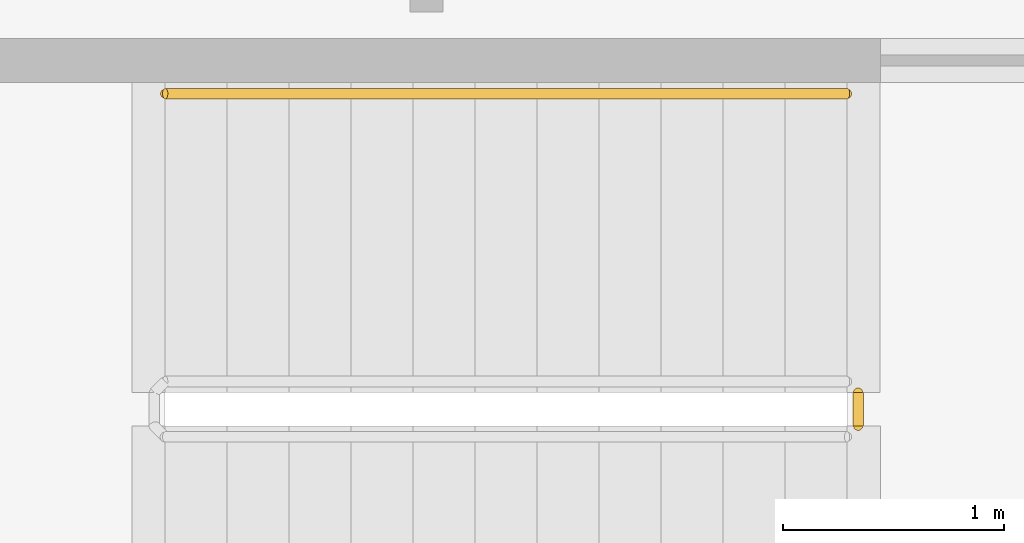
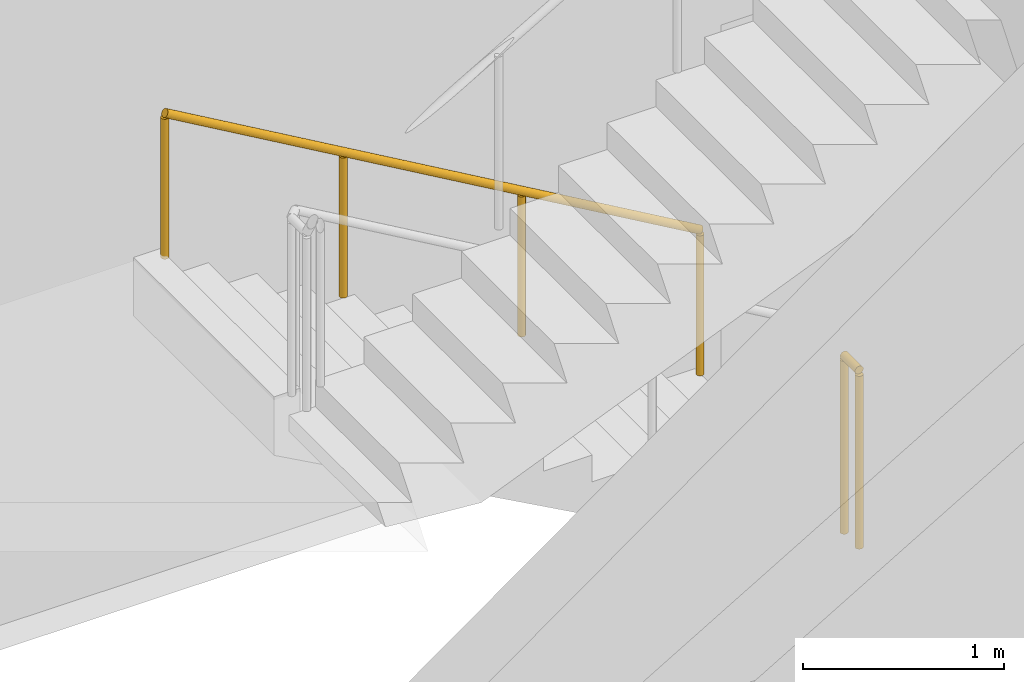
# One storey, part 20 of 23: 2 railings.
"""IFC4 building model written with IfcOpenShell, lengths in metres."""

import ifcopenshell
import ifcopenshell.guid

model = None  # the IFC model being written
_history = None  # IfcOwnerHistory: only IFC2X3 demands one
_inside = {}  # id of a spatial element -> (the spatial element, [elements in it])
_under = {}  # id of a project, library or spatial element -> (it, [spatial elements below it])
_declared = {}  # id of a project -> (the project, [libraries it declares])
_typed = {}  # id of a type object -> (the type object, [elements of that type])
_made_of = {}  # id of a material, layer set ... -> (it, [elements and type objects made of it])


def new_model(schema):
    """Start an empty IFC model of exactly this schema.

    Asked for "IFC4X3", IfcOpenShell would pick the latest addendum, in which some entities
    have other attributes; the version numbers below select the first issue.
    IFC2X3 requires an IfcOwnerHistory on every rooted entity: one is made here for all.
    """
    global model, _history
    if schema == "IFC4X3":
        model = ifcopenshell.file(schema_version=(4, 3, 0, 0))
    else:
        model = ifcopenshell.file(schema=schema)
    _inside.clear()
    _under.clear()
    _declared.clear()
    _typed.clear()
    _made_of.clear()
    _history = None
    if model.schema == "IFC2X3":
        org = make("IfcOrganization", Name="unknown")
        user = make(
            "IfcPersonAndOrganization",
            ThePerson=make("IfcPerson", FamilyName="unknown"),
            TheOrganization=org,
        )
        app = make(
            "IfcApplication",
            ApplicationDeveloper=org,
            Version="unknown",
            ApplicationFullName="unknown",
            ApplicationIdentifier="unknown",
        )
        _history = make(
            "IfcOwnerHistory",
            OwningUser=user,
            OwningApplication=app,
            ChangeAction="ADDED",
            CreationDate=0,
        )
    return model


def make(cls, **values):
    """One entity of the class cls with the attributes given. An attribute that is None is left unset."""
    return model.create_entity(
        cls, **{name: value for name, value in values.items() if value is not None}
    )


def rooted(cls, **values):
    """An entity with a GlobalId (a new one), such as an element, a storey or a relation."""
    return make(cls, GlobalId=ifcopenshell.guid.new(), OwnerHistory=_history, **values)


def si_unit(unit_type, name, prefix=None):
    """IfcSIUnit, for example si_unit("LENGTHUNIT", "METRE", prefix="MILLI")."""
    return make("IfcSIUnit", UnitType=unit_type, Prefix=prefix, Name=name)


def assignment(units):
    """IfcUnitAssignment: the units of a project."""
    return None if units is None else make("IfcUnitAssignment", Units=units)


def point(xyz):
    """IfcCartesianPoint."""
    return None if xyz is None else make("IfcCartesianPoint", Coordinates=xyz)


def direction(xyz):
    """IfcDirection."""
    return None if xyz is None else make("IfcDirection", DirectionRatios=xyz)


def frame(location, z_axis=None, x_axis=None):
    """IfcAxis2Placement3D, a coordinate frame: its origin and axes. An axis left out is left unset."""
    return make(
        "IfcAxis2Placement3D",
        Location=point(location),
        Axis=direction(z_axis),
        RefDirection=direction(x_axis),
    )


def frame_2d(location, x_axis=None):
    """IfcAxis2Placement2D, a coordinate frame in the plane: its origin and x axis."""
    return make(
        "IfcAxis2Placement2D", Location=point(location), RefDirection=direction(x_axis)
    )


def origin():
    """The frame at (0, 0, 0) with its axes left unset."""
    return frame((0.0, 0.0, 0.0))


def origin_2d():
    """The frame at (0, 0) in the plane with its x axis left unset."""
    return frame_2d((0.0, 0.0))


def place(relative_to, where):
    """IfcLocalPlacement: puts the frame where relative to a parent placement (None: the world)."""
    return make(
        "IfcLocalPlacement", PlacementRelTo=relative_to, RelativePlacement=where
    )


def context(
    kind, dimensions, precision=None, world=None, true_north=None, identifier=None
):
    """IfcGeometricRepresentationContext, for example the 3D "Model" context."""
    return make(
        "IfcGeometricRepresentationContext",
        ContextIdentifier=identifier,
        ContextType=kind,
        CoordinateSpaceDimension=dimensions,
        Precision=precision,
        WorldCoordinateSystem=world,
        TrueNorth=true_north,
    )


def subcontext(parent, identifier, kind, view, scale=None):
    """IfcGeometricRepresentationSubContext, for example "Body" below "Model"."""
    return make(
        "IfcGeometricRepresentationSubContext",
        ContextIdentifier=identifier,
        ContextType=kind,
        ParentContext=parent,
        TargetScale=scale,
        TargetView=view,
    )


def project(units=None, contexts=None):
    """IfcProject with its units and contexts."""
    return rooted(
        "IfcProject",
        Name="project",
        RepresentationContexts=contexts,
        UnitsInContext=assignment(units),
    )


def spatial(cls, under=None, at=None, **own):
    """A site, building, storey or space (cls), placed at a placement, below another one or the project."""
    s = rooted(cls, ObjectPlacement=at, **own)
    if under is not None:
        _under.setdefault(under.id(), (under, []))[1].append(s)
    return s


def profile(cls, at=None, kind="AREA", **sizes):
    """A parametric profile (cls). Its sizes go by their IFC names, for example OverallWidth=200.0."""
    return make(cls, ProfileType=kind, Position=at, **sizes)


def circle(**sizes):
    """IfcCircleProfileDef."""
    return profile("IfcCircleProfileDef", **sizes)


def extrude(swept, where, along, depth):
    """IfcExtrudedAreaSolid: the profile swept, set in the frame where, extruded along a direction by depth."""
    return make(
        "IfcExtrudedAreaSolid",
        SweptArea=swept,
        Position=where,
        ExtrudedDirection=direction(along),
        Depth=depth,
    )


def shape(context_of_items, identifier, shape_type, items):
    """IfcShapeRepresentation: the items that make up one representation, for example the "Body"."""
    return make(
        "IfcShapeRepresentation",
        ContextOfItems=context_of_items,
        RepresentationIdentifier=identifier,
        RepresentationType=shape_type,
        Items=items,
    )


def material(Name=None, Category=None):
    """IfcMaterial."""
    return make("IfcMaterial", Name=Name, Category=Category)


def made_of(thing, what):
    """Note that an element or type object is made of a material, layer set ...; save() writes the relation."""
    if what is not None:
        _made_of.setdefault(what.id(), (what, []))[1].append(thing)
    return thing


def type_object(cls, material=None, **own):
    """A type object (cls), such as IfcWallType, which elements share."""
    return made_of(rooted(cls, **own), material)


def element(
    cls,
    number,
    at=None,
    inside=None,
    cuts=None,
    type_object=None,
    material=None,
    context=None,
    identifier="Body",
    shape_type=None,
    held_by="IfcProductDefinitionShape",
    body=None,
    shapes=None,
    **own,
):
    """One element of the class cls, such as IfcWall. Its Tag is "e" and its number.

    at: its placement. inside: the storey or other place that contains it. cuts: it is an
    opening in that element (IfcRelVoidsElement). A single representation is given by context,
    identifier, shape_type and body (its items); several are given by shapes. held_by: the class
    of the entity that holds the representations. save() writes the other relations.
    """
    e = rooted(cls, Tag="e%d" % number, ObjectPlacement=at, **own)
    if body is not None:
        shapes = [shape(context, identifier, shape_type, body)]
    if shapes is not None:
        e.Representation = make(held_by, Representations=shapes)
    if inside is not None:
        _inside.setdefault(inside.id(), (inside, []))[1].append(e)
    if cuts is not None:
        rooted(
            "IfcRelVoidsElement", RelatingBuildingElement=cuts, RelatedOpeningElement=e
        )
    if type_object is not None:
        _typed.setdefault(type_object.id(), (type_object, []))[1].append(e)
    return made_of(e, material)


def aggregate(whole, parts):
    """IfcRelAggregates: a whole, such as a stair, and the parts it consists of."""
    return rooted("IfcRelAggregates", RelatingObject=whole, RelatedObjects=parts)


def save(model, path):
    """Write the relations noted so far, then the file.

    IfcRelAggregates (storeys below a building ...), IfcRelContainedInSpatialStructure (elements
    in a storey), IfcRelDefinesByType, IfcRelAssociatesMaterial and IfcRelDeclares: one each for
    every whole, place, type object, material and project.
    """
    for whole, parts in _under.values():
        aggregate(whole, parts)
    for where, things in _inside.values():
        rooted(
            "IfcRelContainedInSpatialStructure",
            RelatedElements=things,
            RelatingStructure=where,
        )
    for kind, things in _typed.values():
        rooted("IfcRelDefinesByType", RelatedObjects=things, RelatingType=kind)
    for what, things in _made_of.values():
        rooted("IfcRelAssociatesMaterial", RelatedObjects=things, RelatingMaterial=what)
    for by, libraries in _declared.values():
        rooted("IfcRelDeclares", RelatingContext=by, RelatedDefinitions=libraries)
    model.write(path)


model = new_model("IFC4")

# Units and contexts
model_context = context("Model", 3, precision=1e-05, world=origin(), true_north=direction((0.0, 1.0)))
body_context = subcontext(model_context, "Body", "Model", "MODEL_VIEW")
ifc_project = project(units=[si_unit("LENGTHUNIT", "METRE"), si_unit("AREAUNIT", "SQUARE_METRE"), si_unit("VOLUMEUNIT", "CUBIC_METRE"), si_unit("PLANEANGLEUNIT", "RADIAN"), si_unit("MASSUNIT", "GRAM", prefix="KILO")], contexts=[model_context])

# Site, building, storey
site_placement = place(None, origin())
site = spatial("IfcSite", under=ifc_project, at=site_placement, CompositionType="ELEMENT")
building_placement = place(site_placement, origin())
building = spatial("IfcBuilding", under=site, at=building_placement, Name="Kheshtan School and Residences Tower", CompositionType="ELEMENT")
storey_placement = place(building_placement, frame((0.0, 0.0, 247.39990234375)))
storey = spatial("IfcBuildingStorey", under=building, at=storey_placement, Name="L58", CompositionType="ELEMENT", Elevation=247.39990234375)

# Railings
ifc_material_1 = material(Name="Stainless steel balustrade", Category="steel")
railing_type_1 = type_object("IfcRailingType", Name="Stair guard 1100", PredefinedType="GUARDRAIL", material=ifc_material_1)
railing_1_placement = place(storey_placement, frame((78.4599609375, 24.39990234375, 0.0)))
element("IfcRailing", 1, at=railing_1_placement, inside=storey, type_object=railing_type_1, Name="L58 ST5 stair guard 2", PredefinedType="GUARDRAIL", context=body_context, shape_type="SweptSolid", body=[
    extrude(circle(Radius=0.02392578125, at=origin_2d()), frame((0.0, 0.0, 1.076171875), z_axis=(0.0, -1.0, 0.0), x_axis=(1.0, 0.0, 0.0)), (0.0, 0.0, 1.0), 0.14990234375),
    extrude(circle(Radius=0.02099609375, at=origin_2d()), origin(), (0.0, 0.0, 1.0), 1.052001953125),
    extrude(circle(Radius=0.02099609375, at=origin_2d()), frame((0.0, -0.14990234375, 0.0)), (0.0, 0.0, 1.0), 1.052001953125),
])
ifc_material_2 = material(Name="Stainless steel handrail", Category="steel")
railing_type_2 = type_object("IfcRailingType", Name="Stair handrail 900", PredefinedType="HANDRAIL", material=ifc_material_2)
railing_2_placement = place(storey_placement, frame((78.409912109375, 25.75, 0.16259765625)))
element("IfcRailing", 2, at=railing_2_placement, inside=storey, type_object=railing_type_2, Name="L58 ST5 stair handrail 1", PredefinedType="HANDRAIL", context=body_context, shape_type="SweptSolid", body=[
    extrude(circle(Radius=0.02392578125, at=origin_2d()), frame((0.0, 0.0, 0.8759765625), z_axis=(-0.864873446163, 0.0, 0.501989962173), x_axis=(0.0, -1.0, 0.0)), (0.0, 0.0, 1.0), 3.56103515625),
    extrude(circle(Radius=0.02099609375, at=origin_2d()), origin(), (0.0, 0.0, 1.0), 0.851806640625),
    extrude(circle(Radius=0.02099609375, at=origin_2d()), frame((-1.026611328125, 0.0, 0.595947265625)), (0.0, 0.0, 1.0), 0.851806640625),
    extrude(circle(Radius=0.02099609375, at=origin_2d()), frame((-2.05322265625, 0.0, 1.191650390625)), (0.0, 0.0, 1.0), 0.851806640625),
    extrude(circle(Radius=0.02099609375, at=origin_2d()), frame((-3.079833984375, 0.0, 1.78759765625)), (0.0, 0.0, 1.0), 0.851806640625),
])

save(model, "model.ifc")
